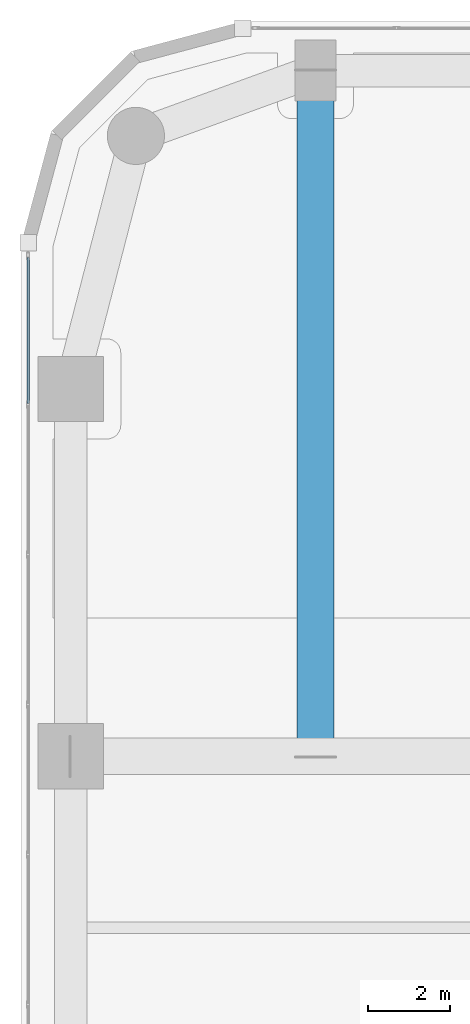
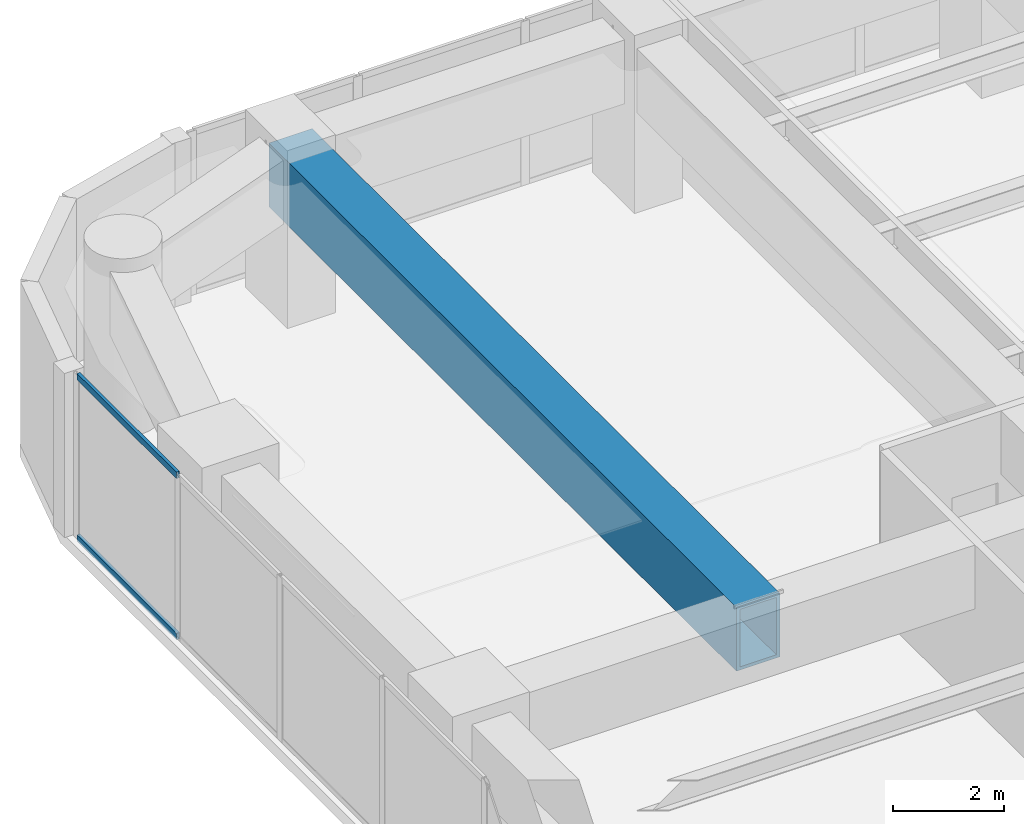
# One storey, part 13 of 28: 2 members, 1 beam, 1 element without a shape of its own.
"""IFC4 building model written with IfcOpenShell, lengths in metres."""

from ifc_helpers import new_model, si_unit, direction, frame, origin, origin_2d, place, context, subcontext, project, spatial, hollow_rectangle, extrude, material, layer, layer_set, material_profile, profile_set, type_object, element, aggregate, save


model = new_model("IFC4")

# Units and contexts
model_context = context("Model", 3, precision=1e-05, world=origin(), true_north=direction((0.0, 1.0)))
body_context = subcontext(model_context, "Body", "Model", "MODEL_VIEW")
ifc_project = project(units=[si_unit("LENGTHUNIT", "METRE"), si_unit("AREAUNIT", "SQUARE_METRE"), si_unit("VOLUMEUNIT", "CUBIC_METRE"), si_unit("PLANEANGLEUNIT", "RADIAN"), si_unit("MASSUNIT", "GRAM", prefix="KILO")], contexts=[model_context])

# Site, building, storey
site_placement = place(None, origin())
site = spatial("IfcSite", under=ifc_project, at=site_placement, CompositionType="ELEMENT")
building_placement = place(site_placement, origin())
building = spatial("IfcBuilding", under=site, at=building_placement, Name="Kiyonajd Concourse Tower", CompositionType="ELEMENT")
storey_placement = place(building_placement, frame((0.0, 0.0, 76.800048828125)))
storey = spatial("IfcBuildingStorey", under=building, at=storey_placement, Name="L20", CompositionType="ELEMENT", Elevation=76.800048828125)

# Beam
ifc_material_1 = material(Name="Steel ASTM A572 Grade 50", Category="steel")
ifc_material_profile_1 = material_profile(ifc_material_1, hollow_rectangle(XDim=0.89990234375, YDim=1.39990234375, WallThickness=0.070068359375, at=origin_2d()), Name="BOX-1400x900x70")
ifc_profile_set_1 = profile_set([ifc_material_profile_1], Name="Steel ASTM A572 Grade 50")
beam_type = type_object("IfcBeamType", Name="BM-XFER-1400", PredefinedType="BEAM", material=ifc_profile_set_1)
beam_placement = place(storey_placement, frame((25.199951171875, 44.39990234375, 2.89990234375), z_axis=(0.0, 1.0, 0.0), x_axis=(-1.0, 0.0, 0.0)))
element("IfcBeam", 1, at=beam_placement, inside=storey, type_object=beam_type, Name="L20 North Lease Girder", PredefinedType="BEAM", context=body_context, shape_type="SweptSolid", body=[
    extrude(hollow_rectangle(XDim=0.89990234375, YDim=1.39990234375, WallThickness=0.070068359375, at=origin_2d()), origin(), (0.0, 0.0, 1.0), 16.800048828125),
])

# Curtain wall, members
ifc_material_2 = material(Name="Thermally Broken Anodised Aluminium", Category="aluminium")
ifc_layer = layer(ifc_material_2, 0.179931640625)
ifc_layer_set = layer_set([ifc_layer], Name="Thermally Broken Anodised Aluminium")
curtain_wall_type = type_object("IfcCurtainWallType", Name="CW-SYS-02", PredefinedType="NOTDEFINED", material=ifc_layer_set)
curtain_wall_placement = place(storey_placement, origin())
curtain_wall = element("IfcCurtainWall", 2, at=curtain_wall_placement, inside=storey, type_object=curtain_wall_type, Name="L20 Unitised Curtain Wall CW2", PredefinedType="NOTDEFINED")
ifc_material_profile_2 = material_profile(ifc_material_2, hollow_rectangle(XDim=0.06494140625, YDim=0.139892578125, WallThickness=0.00390625, at=origin_2d()), Name="TRAN-65x140")
ifc_profile_set_2 = profile_set([ifc_material_profile_2], Name="Thermally Broken Anodised Aluminium")
member_type = type_object("IfcMemberType", Name="MB-CW-TRAN1", PredefinedType="USERDEFINED", material=ifc_profile_set_2)
member_1_placement = place(storey_placement, frame((18.159912109375, 53.04833984375, 0.032470703125), z_axis=(0.0, 1.0, 0.0), x_axis=(-1.0, 0.0, 0.0)))
member_1 = element("IfcMember", 3, at=member_1_placement, type_object=member_type, Name="CW2 transom 6.1", ObjectType="TRANSOM", PredefinedType="USERDEFINED", context=body_context, shape_type="SweptSolid", body=[
    extrude(hollow_rectangle(XDim=0.06494140625, YDim=0.139892578125, WallThickness=0.00390625, at=origin_2d()), origin(), (0.0, 0.0, 1.0), 3.575439453125),
])
member_2_placement = place(storey_placement, frame((18.159912109375, 53.04833984375, 3.5673828125), z_axis=(0.0, 1.0, 0.0), x_axis=(-1.0, 0.0, 0.0)))
member_2 = element("IfcMember", 4, at=member_2_placement, type_object=member_type, Name="CW2 transom 6.2", ObjectType="TRANSOM", PredefinedType="USERDEFINED", context=body_context, shape_type="SweptSolid", body=[
    extrude(hollow_rectangle(XDim=0.06494140625, YDim=0.139892578125, WallThickness=0.00390625, at=origin_2d()), origin(), (0.0, 0.0, 1.0), 3.575439453125),
])
aggregate(curtain_wall, [member_1, member_2])

save(model, "model.ifc")
